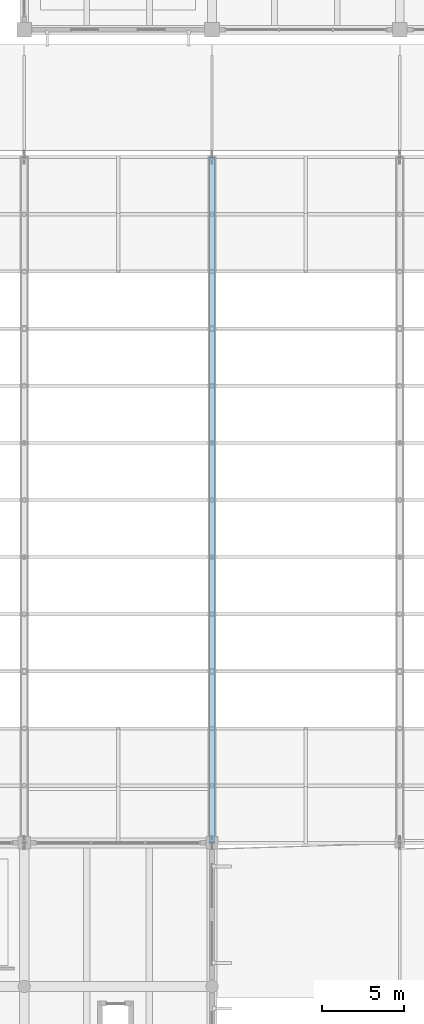
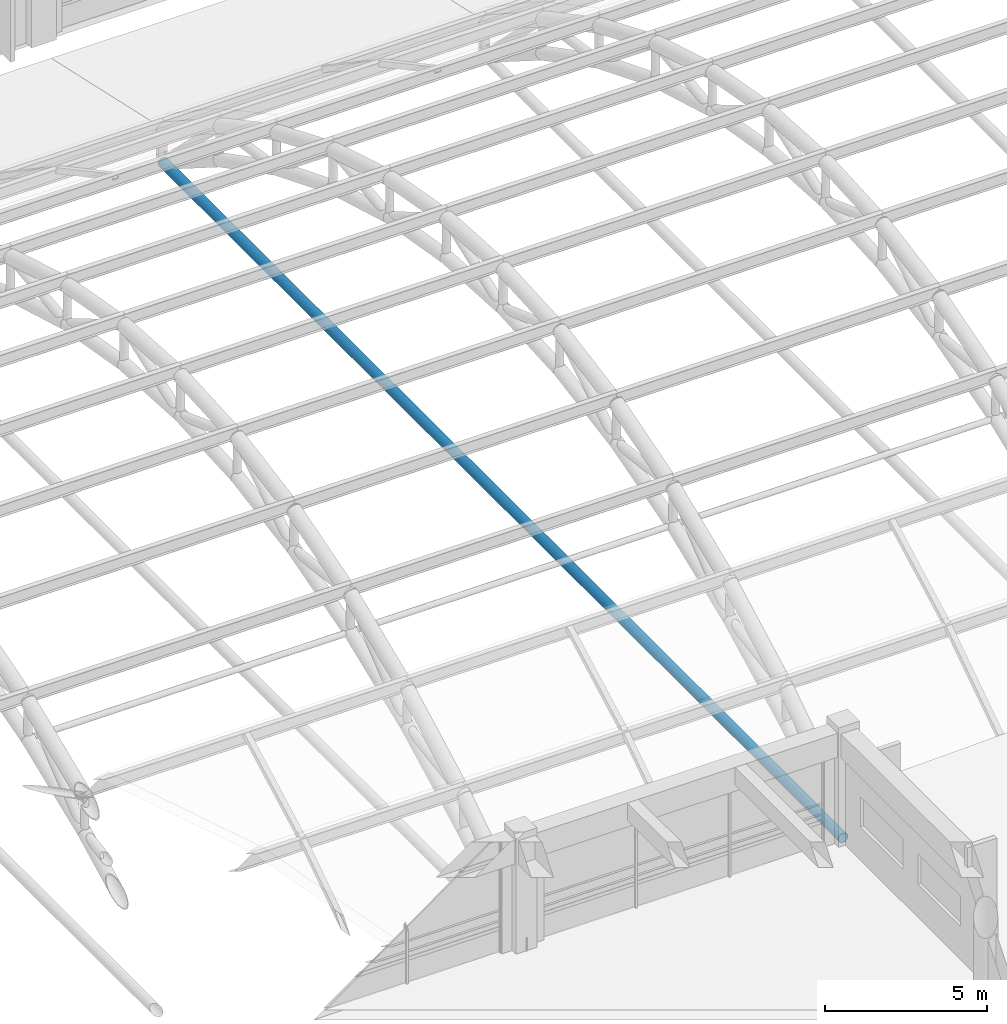
# One storey, part 63 of 154: 1 member.
"""IFC4 building model written with IfcOpenShell, lengths in metres."""

from ifc_helpers import new_model, si_unit, direction, frame, origin, origin_2d, place, context, subcontext, project, spatial, hollow_circle, extrude, material, material_profile, profile_set, type_object, element, save


model = new_model("IFC4")

# Units and contexts
model_context = context("Model", 3, precision=1e-05, world=origin(), true_north=direction((0.0, 1.0)))
body_context = subcontext(model_context, "Body", "Model", "MODEL_VIEW")
ifc_project = project(units=[si_unit("LENGTHUNIT", "METRE"), si_unit("AREAUNIT", "SQUARE_METRE"), si_unit("VOLUMEUNIT", "CUBIC_METRE"), si_unit("PLANEANGLEUNIT", "RADIAN"), si_unit("MASSUNIT", "GRAM", prefix="KILO")], contexts=[model_context])

# Site, building, storey
site_placement = place(None, origin())
site = spatial("IfcSite", under=ifc_project, at=site_placement, CompositionType="ELEMENT")
building_placement = place(site_placement, origin())
building = spatial("IfcBuilding", under=site, at=building_placement, Name="Ologun Quay Terminus", CompositionType="ELEMENT")
storey_placement = place(building_placement, frame((0.0, 0.0, 13.800048828125)))
storey = spatial("IfcBuildingStorey", under=building, at=storey_placement, Name="L03", CompositionType="ELEMENT", Elevation=13.800048828125)

# Member
ifc_material = material(Name="Steel S355", Category="steel")
ifc_material_profile = material_profile(ifc_material, hollow_circle(Radius=0.177734375, WallThickness=0.012451171875, at=origin_2d()), Name="CHS 355.6x12.5")
ifc_profile_set = profile_set([ifc_material_profile], Name="Steel S355")
member_type = type_object("IfcMemberType", Name="Arch Horizontal Tie Chord CHS355", PredefinedType="CHORD", material=ifc_profile_set)
member_placement = place(storey_placement, frame((126.5, 36.0, 0.0), z_axis=(0.0, 1.0, 0.0), x_axis=(-1.0, 0.0, 0.0)))
element("IfcMember", 1, at=member_placement, inside=storey, type_object=member_type, Name="AT1 Arch Tie Chord Grid 12", PredefinedType="CHORD", context=body_context, shape_type="SweptSolid", body=[
    extrude(hollow_circle(Radius=0.177734375, WallThickness=0.012451171875, at=origin_2d()), origin(), (0.0, 0.0, 1.0), 42.0),
])

save(model, "model.ifc")
